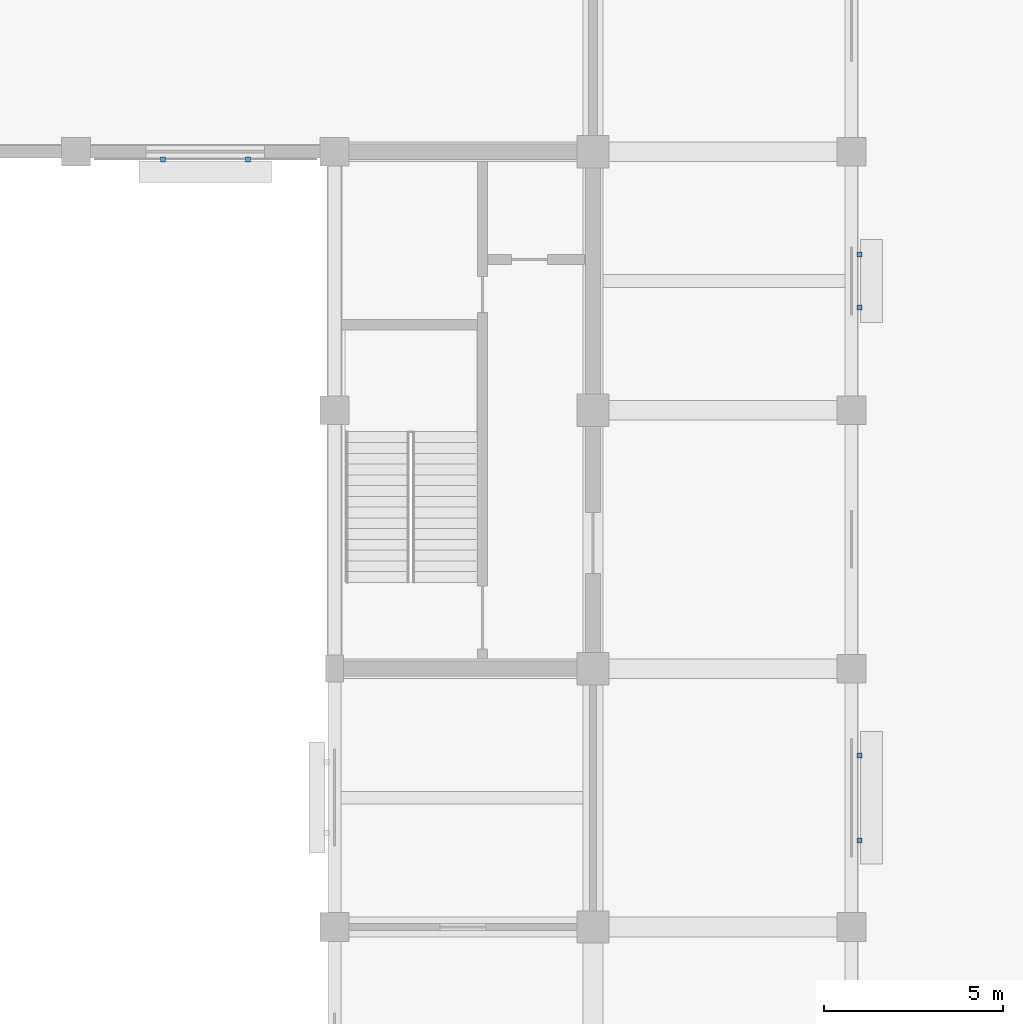
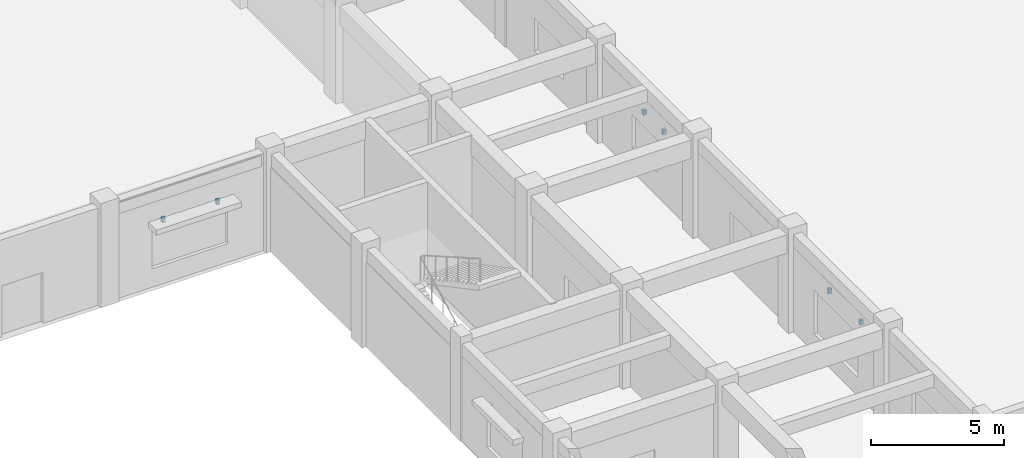
# One storey, part 24 of 37: 6 discrete accessories.
"""IFC4 building model written with IfcOpenShell, lengths in metres."""

from ifc_helpers import new_model, si_unit, direction, frame, origin, origin_2d, place, context, subcontext, project, spatial, rectangle, extrude, material, type_object, element, save


model = new_model("IFC4")

# Units and contexts
model_context = context("Model", 3, precision=1e-05, world=origin(), true_north=direction((0.0, 1.0)))
body_context = subcontext(model_context, "Body", "Model", "MODEL_VIEW")
ifc_project = project(units=[si_unit("LENGTHUNIT", "METRE"), si_unit("AREAUNIT", "SQUARE_METRE"), si_unit("VOLUMEUNIT", "CUBIC_METRE"), si_unit("PLANEANGLEUNIT", "RADIAN"), si_unit("MASSUNIT", "GRAM", prefix="KILO")], contexts=[model_context])

# Site, building, storey
site_placement = place(None, origin())
site = spatial("IfcSite", under=ifc_project, at=site_placement, CompositionType="ELEMENT")
building_placement = place(site_placement, origin())
building = spatial("IfcBuilding", under=site, at=building_placement, Name="Cendaluz Park School", CompositionType="ELEMENT")
storey_placement = place(building_placement, origin())
storey = spatial("IfcBuildingStorey", under=building, at=storey_placement, Name="L00", CompositionType="ELEMENT", Elevation=0.0)

# Discrete accessories
ifc_material = material(Name="Steel S355", Category="steel")
discrete_accessory_type = type_object("IfcDiscreteAccessoryType", Name="BK-01", PredefinedType="BRACKET", material=ifc_material)
for number, where, z_axis, x_axis, name in (
    (1, (24.01611328125, 57.3798828125, 2.8798828125), (0.0, 0.0, 1.0), (1.0, 0.0, 0.0), "BK-L00-015"),
    (2, (26.384033203125, 57.3798828125, 2.8798828125), (0.0, 0.0, 1.0), (1.0, 0.0, 0.0), "BK-L00-016"),
    (3, (43.419921875, 38.416015625, 2.8798828125), (0.0, 0.0, 1.0), (0.0, 1.0, 0.0), "BK-L00-019"),
    (4, (43.419921875, 40.783935546875, 2.8798828125), (0.0, 0.0, 1.0), (0.0, 1.0, 0.0), "BK-L00-020"),
    (5, (43.419921875, 53.263916015625, 2.6298828125), (0.0, 0.0, 1.0), (0.0, 1.0, 0.0), "BK-L00-021"),
    (6, (43.419921875, 54.736083984375, 2.6298828125), (0.0, 0.0, 1.0), (0.0, 1.0, 0.0), "BK-L00-022"),
):
    element("IfcDiscreteAccessory", number, at=place(storey_placement, frame(where, z_axis=z_axis, x_axis=x_axis)), inside=storey, type_object=discrete_accessory_type, Name=name, PredefinedType="BRACKET", context=body_context, shape_type="SweptSolid", body=[
        extrude(rectangle(XDim=0.139892578125, YDim=0.139892578125, at=origin_2d()), origin(), (0.0, 0.0, 1.0), 0.219970703125),
    ])

save(model, "model.ifc")
